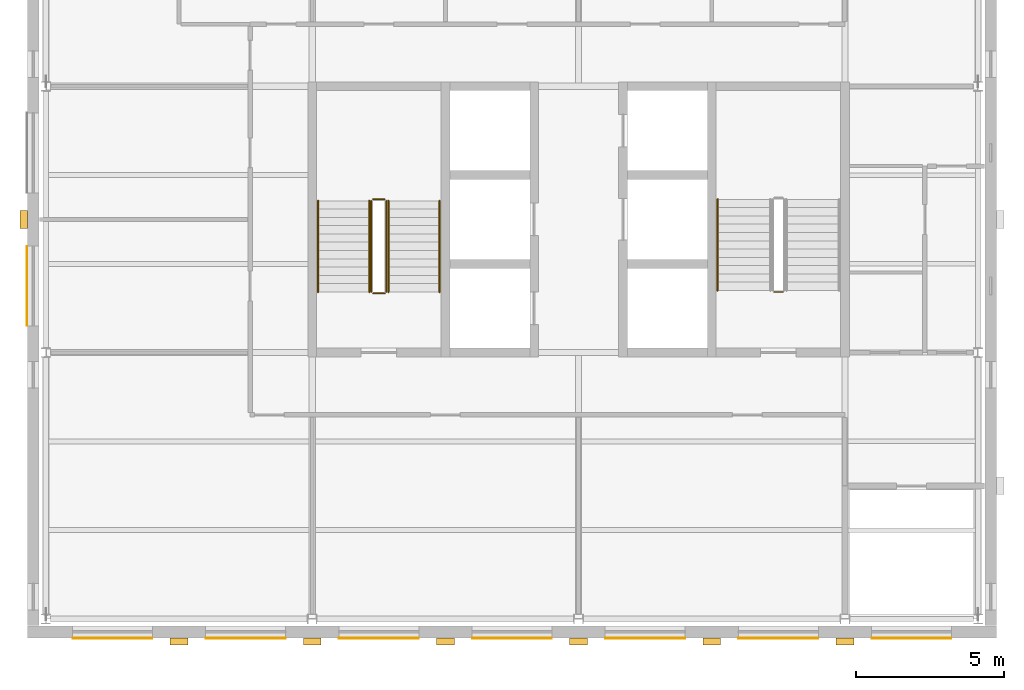
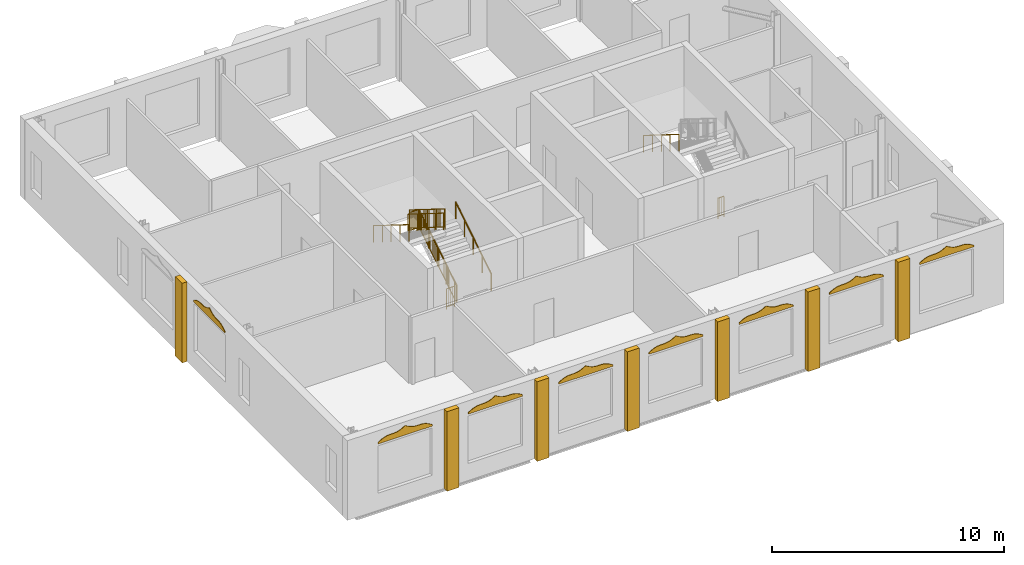
# One storey, part 8 of 9: 15 coverings, 10 railings.
"""IFC4 building model written with IfcOpenShell, lengths in metres."""

from ifc_helpers import new_model, si_unit, direction, frame, origin, origin_2d, place, context, subcontext, project, spatial, polyline, rectangle, circle, outline, extrude, material, layer, layer_set, type_object, element, save


model = new_model("IFC4")

# Units and contexts
model_context = context("Model", 3, precision=1e-05, world=origin(), true_north=direction((0.0, 1.0)))
body_context = subcontext(model_context, "Body", "Model", "MODEL_VIEW")
ifc_project = project(units=[si_unit("LENGTHUNIT", "METRE"), si_unit("AREAUNIT", "SQUARE_METRE"), si_unit("VOLUMEUNIT", "CUBIC_METRE"), si_unit("PLANEANGLEUNIT", "RADIAN"), si_unit("MASSUNIT", "GRAM", prefix="KILO")], contexts=[model_context])

# Site, building, storey
site_placement = place(None, origin())
site = spatial("IfcSite", under=ifc_project, at=site_placement, CompositionType="ELEMENT")
building_placement = place(site_placement, origin())
building = spatial("IfcBuilding", under=site, at=building_placement, Name="Hortulan Conservatory and Botanical Research Centre", CompositionType="ELEMENT")
storey_placement = place(building_placement, frame((0.0, 0.0, 52.800048828125)))
storey = spatial("IfcBuildingStorey", under=building, at=storey_placement, Name="L12", CompositionType="ELEMENT", Elevation=52.800048828125)

# Coverings
ifc_material_1 = material(Name="Faience cladding, cream glaze (non-combustible)", Category="ceramic")
ifc_layer_1 = layer(ifc_material_1, 0.030029296875)
ifc_layer_set_1 = layer_set([ifc_layer_1], Name="Faience Ogee Head Panel Cream 2700x500")
covering_type_1 = type_object("IfcCoveringType", Name="Faience Ogee Head Panel Cream 2700x500", PredefinedType="CLADDING", material=ifc_layer_set_1)
for number, where, z_axis, x_axis, name in (
    (1, (17.10009765625, -0.65087890625, 3.52001953125), (0.0, 0.0, 1.0), (-1.0, 0.0, 0.0), "Ogee head panel"),
    (2, (21.60009765625, -0.65087890625, 3.52001953125), (0.0, 0.0, 1.0), (-1.0, 0.0, 0.0), "Ogee head panel"),
):
    element("IfcCovering", number, at=place(storey_placement, frame(where, z_axis=z_axis, x_axis=x_axis)), inside=storey, type_object=covering_type_1, Name=name, PredefinedType="CLADDING", context=body_context, shape_type="SweptSolid", body=[
        extrude(outline(polyline([(0.0, 0.0), (2.699951171875, 0.0), (2.699951171875, 0.079833984375), (2.58740234375, 0.1484375), (2.47509765625, 0.208251953125), (2.362548828125, 0.252197265625), (2.25, 0.278076171875), (2.137451171875, 0.28857421875), (2.02490234375, 0.2900390625), (1.91259765625, 0.291259765625), (1.800048828125, 0.3017578125), (1.6875, 0.32763671875), (1.574951171875, 0.371826171875), (1.46240234375, 0.431396484375), (1.35009765625, 0.5), (1.237548828125, 0.431396484375), (1.125, 0.371826171875), (1.012451171875, 0.32763671875), (0.89990234375, 0.3017578125), (0.78759765625, 0.291259765625), (0.675048828125, 0.2900390625), (0.5625, 0.28857421875), (0.449951171875, 0.278076171875), (0.33740234375, 0.252197265625), (0.22509765625, 0.208251953125), (0.112548828125, 0.1484375), (0.0, 0.079833984375), (0.0, 0.0)])), frame((0.0, 0.01513671875, 0.0), z_axis=(0.0, -1.0, 0.0), x_axis=(1.0, 0.0, 0.0)), (0.0, 0.0, 1.0), 0.030029296875),
    ])
ifc_material_2 = material(Name="Faience cladding, waratah crimson glaze (non-combustible)", Category="ceramic")
ifc_layer_2 = layer(ifc_material_2, 0.030029296875)
ifc_layer_set_2 = layer_set([ifc_layer_2], Name="Faience Ogee Head Panel Crimson 2700x500")
covering_type_2 = type_object("IfcCoveringType", Name="Faience Ogee Head Panel Crimson 2700x500", PredefinedType="CLADDING", material=ifc_layer_set_2)
for number, where, z_axis, x_axis, name in (
    (3, (3.60009765625, -0.65087890625, 3.52001953125), (0.0, 0.0, 1.0), (-1.0, 0.0, 0.0), "Ogee head panel"),
    (4, (26.10009765625, -0.65087890625, 3.52001953125), (0.0, 0.0, 1.0), (-1.0, 0.0, 0.0), "Ogee head panel"),
    (5, (30.60009765625, -0.65087890625, 3.52001953125), (0.0, 0.0, 1.0), (-1.0, 0.0, 0.0), "Ogee head panel"),
):
    element("IfcCovering", number, at=place(storey_placement, frame(where, z_axis=z_axis, x_axis=x_axis)), inside=storey, type_object=covering_type_2, Name=name, PredefinedType="CLADDING", context=body_context, shape_type="SweptSolid", body=[
        extrude(outline(polyline([(0.0, 0.0), (2.699951171875, 0.0), (2.699951171875, 0.079833984375), (2.58740234375, 0.1484375), (2.47509765625, 0.208251953125), (2.362548828125, 0.252197265625), (2.25, 0.278076171875), (2.137451171875, 0.28857421875), (2.02490234375, 0.2900390625), (1.91259765625, 0.291259765625), (1.800048828125, 0.3017578125), (1.6875, 0.32763671875), (1.574951171875, 0.371826171875), (1.46240234375, 0.431396484375), (1.35009765625, 0.5), (1.237548828125, 0.431396484375), (1.125, 0.371826171875), (1.012451171875, 0.32763671875), (0.89990234375, 0.3017578125), (0.78759765625, 0.291259765625), (0.675048828125, 0.2900390625), (0.5625, 0.28857421875), (0.449951171875, 0.278076171875), (0.33740234375, 0.252197265625), (0.22509765625, 0.208251953125), (0.112548828125, 0.1484375), (0.0, 0.079833984375), (0.0, 0.0)])), frame((0.0, 0.01513671875, 0.0), z_axis=(0.0, -1.0, 0.0), x_axis=(1.0, 0.0, 0.0)), (0.0, 0.0, 1.0), 0.030029296875),
    ])
ifc_material_3 = material(Name="Faience cladding, harbour teal glaze (non-combustible)", Category="ceramic")
ifc_layer_3 = layer(ifc_material_3, 0.030029296875)
ifc_layer_set_3 = layer_set([ifc_layer_3], Name="Faience Ogee Head Panel Teal 2700x500")
covering_type_3 = type_object("IfcCoveringType", Name="Faience Ogee Head Panel Teal 2700x500", PredefinedType="CLADDING", material=ifc_layer_set_3)
for number, where, z_axis, x_axis, name in (
    (6, (8.10009765625, -0.65087890625, 3.52001953125), (0.0, 0.0, 1.0), (-1.0, 0.0, 0.0), "Ogee head panel"),
    (7, (12.60009765625, -0.65087890625, 3.52001953125), (0.0, 0.0, 1.0), (-1.0, 0.0, 0.0), "Ogee head panel"),
    (8, (-0.639892578125, 9.89990234375, 3.52001953125), (0.0, 0.0, 1.0), (0.0, 1.0, 0.0), "Ogee head panel"),
):
    element("IfcCovering", number, at=place(storey_placement, frame(where, z_axis=z_axis, x_axis=x_axis)), inside=storey, type_object=covering_type_3, Name=name, PredefinedType="CLADDING", context=body_context, shape_type="SweptSolid", body=[
        extrude(outline(polyline([(0.0, 0.0), (2.699951171875, 0.0), (2.699951171875, 0.079833984375), (2.58740234375, 0.1484375), (2.47509765625, 0.208251953125), (2.362548828125, 0.252197265625), (2.25, 0.278076171875), (2.137451171875, 0.28857421875), (2.02490234375, 0.2900390625), (1.91259765625, 0.291259765625), (1.800048828125, 0.3017578125), (1.6875, 0.32763671875), (1.574951171875, 0.371826171875), (1.46240234375, 0.431396484375), (1.35009765625, 0.5), (1.237548828125, 0.431396484375), (1.125, 0.371826171875), (1.012451171875, 0.32763671875), (0.89990234375, 0.3017578125), (0.78759765625, 0.291259765625), (0.675048828125, 0.2900390625), (0.5625, 0.28857421875), (0.449951171875, 0.278076171875), (0.33740234375, 0.252197265625), (0.22509765625, 0.208251953125), (0.112548828125, 0.1484375), (0.0, 0.079833984375), (0.0, 0.0)])), frame((0.0, 0.01513671875, 0.0), z_axis=(0.0, -1.0, 0.0), x_axis=(1.0, 0.0, 0.0)), (0.0, 0.0, 1.0), 0.030029296875),
    ])
ifc_layer_4 = layer(ifc_material_1, 0.25)
ifc_layer_set_4 = layer_set([ifc_layer_4], Name="Faience Pilaster 600x250")
covering_type_4 = type_object("IfcCoveringType", Name="Faience Pilaster 600x250", PredefinedType="CLADDING", material=ifc_layer_set_4)
for number, where, z_axis, x_axis, name in (
    (9, (27.0, -0.760986328125, 0.0), (0.0, 0.0, 1.0), (-1.0, 0.0, 0.0), "Pier"),
    (10, (22.5, -0.760986328125, 0.0), (0.0, 0.0, 1.0), (-1.0, 0.0, 0.0), "Pier"),
    (11, (18.0, -0.760986328125, 0.0), (0.0, 0.0, 1.0), (-1.0, 0.0, 0.0), "Pier"),
    (12, (13.5, -0.760986328125, 0.0), (0.0, 0.0, 1.0), (-1.0, 0.0, 0.0), "Pier"),
    (13, (9.0, -0.760986328125, 0.0), (0.0, 0.0, 1.0), (-1.0, 0.0, 0.0), "Pier"),
    (14, (4.5, -0.760986328125, 0.0), (0.0, 0.0, 1.0), (-1.0, 0.0, 0.0), "Pier"),
    (15, (-0.75, 13.5, 0.0), (0.0, 0.0, 1.0), (0.0, 1.0, 0.0), "Pier"),
):
    element("IfcCovering", number, at=place(storey_placement, frame(where, z_axis=z_axis, x_axis=x_axis)), inside=storey, type_object=covering_type_4, Name=name, PredefinedType="CLADDING", context=body_context, shape_type="SweptSolid", body=[
        extrude(rectangle(XDim=0.60009765625, YDim=0.25, at=origin_2d()), origin(), (0.0, 0.0, 1.0), 4.199951171875),
    ])

# Railings
ifc_material_4 = material(Name="Steel balustrade, bronze-charcoal paint", Category="steel")
railing_type_1 = type_object("IfcRailingType", Name="Stair Guard 1100", PredefinedType="GUARDRAIL", material=ifc_material_4)
railing_1_placement = place(storey_placement, frame((11.5, 11.050048828125, 0.175048828125)))
element("IfcRailing", 16, at=railing_1_placement, inside=storey, type_object=railing_type_1, Name="Guard T1 L12 stair 1", PredefinedType="GUARDRAIL", context=body_context, shape_type="SweptSolid", body=[
    extrude(circle(Radius=0.02392578125, at=origin_2d()), frame((0.0, 0.0, 1.076171875), z_axis=(0.0, 0.848009633417, 0.529980812513), x_axis=(-1.0, 0.0, 0.0)), (0.0, 0.0, 1.0), 3.6318359375),
    extrude(circle(Radius=0.02392578125, at=origin_2d()), frame((0.0, 0.0, 0.1240234375), z_axis=(0.0, 0.848009633417, 0.529980812513), x_axis=(-1.0, 0.0, 0.0)), (0.0, 0.0, 1.0), 3.6318359375),
    extrude(circle(Radius=0.008056640625, at=origin_2d()), frame((0.0, 0.090576171875, 0.204833984375)), (0.0, 0.0, 1.0), 0.90380859375),
    extrude(circle(Radius=0.008056640625, at=origin_2d()), frame((0.0, 0.18115234375, 0.261474609375)), (0.0, 0.0, 1.0), 0.90380859375),
    extrude(circle(Radius=0.008056640625, at=origin_2d()), frame((0.0, 0.271728515625, 0.318115234375)), (0.0, 0.0, 1.0), 0.90380859375),
    extrude(circle(Radius=0.008056640625, at=origin_2d()), frame((0.0, 0.3623046875, 0.374755859375)), (0.0, 0.0, 1.0), 0.90380859375),
    extrude(circle(Radius=0.008056640625, at=origin_2d()), frame((0.0, 0.452880859375, 0.43115234375)), (0.0, 0.0, 1.0), 0.90380859375),
    extrude(circle(Radius=0.008056640625, at=origin_2d()), frame((0.0, 0.54345703125, 0.48779296875)), (0.0, 0.0, 1.0), 0.90380859375),
    extrude(circle(Radius=0.008056640625, at=origin_2d()), frame((0.0, 0.634033203125, 0.54443359375)), (0.0, 0.0, 1.0), 0.90380859375),
    extrude(circle(Radius=0.008056640625, at=origin_2d()), frame((0.0, 0.724609375, 0.60107421875)), (0.0, 0.0, 1.0), 0.90380859375),
    extrude(circle(Radius=0.008056640625, at=origin_2d()), frame((0.0, 0.815185546875, 0.65771484375)), (0.0, 0.0, 1.0), 0.90380859375),
    extrude(circle(Radius=0.008056640625, at=origin_2d()), frame((0.0, 0.90576171875, 0.71435546875)), (0.0, 0.0, 1.0), 0.90380859375),
    extrude(circle(Radius=0.008056640625, at=origin_2d()), frame((0.0, 0.996337890625, 0.77099609375)), (0.0, 0.0, 1.0), 0.90380859375),
    extrude(circle(Radius=0.008056640625, at=origin_2d()), frame((0.0, 1.0869140625, 0.82763671875)), (0.0, 0.0, 1.0), 0.90380859375),
    extrude(circle(Radius=0.008056640625, at=origin_2d()), frame((0.0, 1.177490234375, 0.884033203125)), (0.0, 0.0, 1.0), 0.90380859375),
    extrude(circle(Radius=0.008056640625, at=origin_2d()), frame((0.0, 1.26806640625, 0.940673828125)), (0.0, 0.0, 1.0), 0.90380859375),
    extrude(circle(Radius=0.008056640625, at=origin_2d()), frame((0.0, 1.358642578125, 0.997314453125)), (0.0, 0.0, 1.0), 0.90380859375),
    extrude(circle(Radius=0.008056640625, at=origin_2d()), frame((0.0, 1.44921875, 1.053955078125)), (0.0, 0.0, 1.0), 0.90380859375),
    extrude(circle(Radius=0.008056640625, at=origin_2d()), frame((0.0, 1.5400390625, 1.110595703125)), (0.0, 0.0, 1.0), 0.90380859375),
    extrude(circle(Radius=0.008056640625, at=origin_2d()), frame((0.0, 1.630615234375, 1.167236328125)), (0.0, 0.0, 1.0), 0.90380859375),
    extrude(circle(Radius=0.008056640625, at=origin_2d()), frame((0.0, 1.72119140625, 1.223876953125)), (0.0, 0.0, 1.0), 0.90380859375),
    extrude(circle(Radius=0.008056640625, at=origin_2d()), frame((0.0, 1.811767578125, 1.280517578125)), (0.0, 0.0, 1.0), 0.90380859375),
    extrude(circle(Radius=0.008056640625, at=origin_2d()), frame((0.0, 1.90234375, 1.337158203125)), (0.0, 0.0, 1.0), 0.90380859375),
    extrude(circle(Radius=0.008056640625, at=origin_2d()), frame((0.0, 1.992919921875, 1.3935546875)), (0.0, 0.0, 1.0), 0.90380859375),
    extrude(circle(Radius=0.008056640625, at=origin_2d()), frame((0.0, 2.08349609375, 1.4501953125)), (0.0, 0.0, 1.0), 0.90380859375),
    extrude(circle(Radius=0.008056640625, at=origin_2d()), frame((0.0, 2.174072265625, 1.5068359375)), (0.0, 0.0, 1.0), 0.90380859375),
    extrude(circle(Radius=0.008056640625, at=origin_2d()), frame((0.0, 2.2646484375, 1.5634765625)), (0.0, 0.0, 1.0), 0.90380859375),
    extrude(circle(Radius=0.008056640625, at=origin_2d()), frame((0.0, 2.355224609375, 1.6201171875)), (0.0, 0.0, 1.0), 0.90380859375),
    extrude(circle(Radius=0.008056640625, at=origin_2d()), frame((0.0, 2.44580078125, 1.6767578125)), (0.0, 0.0, 1.0), 0.90380859375),
    extrude(circle(Radius=0.008056640625, at=origin_2d()), frame((0.0, 2.536376953125, 1.7333984375)), (0.0, 0.0, 1.0), 0.90380859375),
    extrude(circle(Radius=0.008056640625, at=origin_2d()), frame((0.0, 2.626953125, 1.7900390625)), (0.0, 0.0, 1.0), 0.90380859375),
    extrude(circle(Radius=0.008056640625, at=origin_2d()), frame((0.0, 2.717529296875, 1.846435546875)), (0.0, 0.0, 1.0), 0.90380859375),
    extrude(circle(Radius=0.008056640625, at=origin_2d()), frame((0.0, 2.80810546875, 1.903076171875)), (0.0, 0.0, 1.0), 0.90380859375),
    extrude(circle(Radius=0.008056640625, at=origin_2d()), frame((0.0, 2.898681640625, 1.959716796875)), (0.0, 0.0, 1.0), 0.90380859375),
    extrude(circle(Radius=0.008056640625, at=origin_2d()), frame((0.0, 2.9892578125, 2.016357421875)), (0.0, 0.0, 1.0), 0.90380859375),
    extrude(circle(Radius=0.02099609375, at=origin_2d()), origin(), (0.0, 0.0, 1.0), 1.052001953125),
    extrude(circle(Radius=0.02099609375, at=origin_2d()), frame((0.0, 0.77001953125, 0.481201171875)), (0.0, 0.0, 1.0), 1.052001953125),
    extrude(circle(Radius=0.02099609375, at=origin_2d()), frame((0.0, 1.5400390625, 0.96240234375)), (0.0, 0.0, 1.0), 1.052001953125),
    extrude(circle(Radius=0.02099609375, at=origin_2d()), frame((0.0, 2.309814453125, 1.443603515625)), (0.0, 0.0, 1.0), 1.052001953125),
    extrude(circle(Radius=0.02099609375, at=origin_2d()), frame((0.0, 3.079833984375, 1.9248046875)), (0.0, 0.0, 1.0), 1.052001953125),
])
railing_2_placement = place(storey_placement, frame((11.449951171875, 14.179931640625, 2.099853515625)))
element("IfcRailing", 17, at=railing_2_placement, inside=storey, type_object=railing_type_1, Name="Guard T1 L12 stair 2", PredefinedType="GUARDRAIL", context=body_context, shape_type="SweptSolid", body=[
    extrude(circle(Radius=0.02392578125, at=origin_2d()), frame((0.0, 0.0, 1.076171875), z_axis=(-1.0, 0.0, 0.0), x_axis=(0.0, -1.0, 0.0)), (0.0, 0.0, 1.0), 0.39990234375),
    extrude(circle(Radius=0.02392578125, at=origin_2d()), frame((0.0, 0.0, 0.1240234375), z_axis=(-1.0, 0.0, 0.0), x_axis=(0.0, -1.0, 0.0)), (0.0, 0.0, 1.0), 0.39990234375),
    extrude(circle(Radius=0.008056640625, at=origin_2d()), frame((-0.10009765625, 0.0, 0.148193359375)), (0.0, 0.0, 1.0), 0.90380859375),
    extrude(circle(Radius=0.008056640625, at=origin_2d()), frame((-0.199951171875, 0.0, 0.148193359375)), (0.0, 0.0, 1.0), 0.90380859375),
    extrude(circle(Radius=0.008056640625, at=origin_2d()), frame((-0.2998046875, 0.0, 0.148193359375)), (0.0, 0.0, 1.0), 0.90380859375),
    extrude(circle(Radius=0.02099609375, at=origin_2d()), origin(), (0.0, 0.0, 1.0), 1.052001953125),
    extrude(circle(Radius=0.02099609375, at=origin_2d()), frame((-0.39990234375, 0.0, 0.0)), (0.0, 0.0, 1.0), 1.052001953125),
])
railing_3_placement = place(storey_placement, frame((11.0, 14.1298828125, 2.27490234375)))
element("IfcRailing", 18, at=railing_3_placement, inside=storey, type_object=railing_type_1, Name="Guard T1 L12 stair 3", PredefinedType="GUARDRAIL", context=body_context, shape_type="SweptSolid", body=[
    extrude(circle(Radius=0.02392578125, at=origin_2d()), frame((0.0, 0.0, 1.076171875), z_axis=(0.0, -0.847979421464, 0.530029150871), x_axis=(1.0, 0.0, 0.0)), (0.0, 0.0, 1.0), 3.632080078125),
    extrude(circle(Radius=0.02392578125, at=origin_2d()), frame((0.0, 0.0, 0.1240234375), z_axis=(0.0, -0.847979421464, 0.530029150871), x_axis=(1.0, 0.0, 0.0)), (0.0, 0.0, 1.0), 3.632080078125),
    extrude(circle(Radius=0.008056640625, at=origin_2d()), frame((0.0, -0.090576171875, 0.204833984375)), (0.0, 0.0, 1.0), 0.90380859375),
    extrude(circle(Radius=0.008056640625, at=origin_2d()), frame((0.0, -0.18115234375, 0.261474609375)), (0.0, 0.0, 1.0), 0.90380859375),
    extrude(circle(Radius=0.008056640625, at=origin_2d()), frame((0.0, -0.271728515625, 0.318115234375)), (0.0, 0.0, 1.0), 0.90380859375),
    extrude(circle(Radius=0.008056640625, at=origin_2d()), frame((0.0, -0.3623046875, 0.374755859375)), (0.0, 0.0, 1.0), 0.90380859375),
    extrude(circle(Radius=0.008056640625, at=origin_2d()), frame((0.0, -0.452880859375, 0.431396484375)), (0.0, 0.0, 1.0), 0.90380859375),
    extrude(circle(Radius=0.008056640625, at=origin_2d()), frame((0.0, -0.54345703125, 0.48779296875)), (0.0, 0.0, 1.0), 0.90380859375),
    extrude(circle(Radius=0.008056640625, at=origin_2d()), frame((0.0, -0.634033203125, 0.54443359375)), (0.0, 0.0, 1.0), 0.90380859375),
    extrude(circle(Radius=0.008056640625, at=origin_2d()), frame((0.0, -0.724609375, 0.60107421875)), (0.0, 0.0, 1.0), 0.90380859375),
    extrude(circle(Radius=0.008056640625, at=origin_2d()), frame((0.0, -0.815185546875, 0.65771484375)), (0.0, 0.0, 1.0), 0.90380859375),
    extrude(circle(Radius=0.008056640625, at=origin_2d()), frame((0.0, -0.90576171875, 0.71435546875)), (0.0, 0.0, 1.0), 0.90380859375),
    extrude(circle(Radius=0.008056640625, at=origin_2d()), frame((0.0, -0.996337890625, 0.77099609375)), (0.0, 0.0, 1.0), 0.90380859375),
    extrude(circle(Radius=0.008056640625, at=origin_2d()), frame((0.0, -1.0869140625, 0.82763671875)), (0.0, 0.0, 1.0), 0.90380859375),
    extrude(circle(Radius=0.008056640625, at=origin_2d()), frame((0.0, -1.177490234375, 0.88427734375)), (0.0, 0.0, 1.0), 0.90380859375),
    extrude(circle(Radius=0.008056640625, at=origin_2d()), frame((0.0, -1.26806640625, 0.94091796875)), (0.0, 0.0, 1.0), 0.90380859375),
    extrude(circle(Radius=0.008056640625, at=origin_2d()), frame((0.0, -1.358642578125, 0.99755859375)), (0.0, 0.0, 1.0), 0.90380859375),
    extrude(circle(Radius=0.008056640625, at=origin_2d()), frame((0.0, -1.44921875, 1.05419921875)), (0.0, 0.0, 1.0), 0.90380859375),
    extrude(circle(Radius=0.008056640625, at=origin_2d()), frame((0.0, -1.5400390625, 1.11083984375)), (0.0, 0.0, 1.0), 0.90380859375),
    extrude(circle(Radius=0.008056640625, at=origin_2d()), frame((0.0, -1.630615234375, 1.167236328125)), (0.0, 0.0, 1.0), 0.90380859375),
    extrude(circle(Radius=0.008056640625, at=origin_2d()), frame((0.0, -1.72119140625, 1.223876953125)), (0.0, 0.0, 1.0), 0.90380859375),
    extrude(circle(Radius=0.008056640625, at=origin_2d()), frame((0.0, -1.811767578125, 1.280517578125)), (0.0, 0.0, 1.0), 0.90380859375),
    extrude(circle(Radius=0.008056640625, at=origin_2d()), frame((0.0, -1.90234375, 1.337158203125)), (0.0, 0.0, 1.0), 0.90380859375),
    extrude(circle(Radius=0.008056640625, at=origin_2d()), frame((0.0, -1.992919921875, 1.393798828125)), (0.0, 0.0, 1.0), 0.90380859375),
    extrude(circle(Radius=0.008056640625, at=origin_2d()), frame((0.0, -2.08349609375, 1.450439453125)), (0.0, 0.0, 1.0), 0.90380859375),
    extrude(circle(Radius=0.008056640625, at=origin_2d()), frame((0.0, -2.174072265625, 1.507080078125)), (0.0, 0.0, 1.0), 0.90380859375),
    extrude(circle(Radius=0.008056640625, at=origin_2d()), frame((0.0, -2.2646484375, 1.563720703125)), (0.0, 0.0, 1.0), 0.90380859375),
    extrude(circle(Radius=0.008056640625, at=origin_2d()), frame((0.0, -2.355224609375, 1.620361328125)), (0.0, 0.0, 1.0), 0.90380859375),
    extrude(circle(Radius=0.008056640625, at=origin_2d()), frame((0.0, -2.44580078125, 1.677001953125)), (0.0, 0.0, 1.0), 0.90380859375),
    extrude(circle(Radius=0.008056640625, at=origin_2d()), frame((0.0, -2.536376953125, 1.733642578125)), (0.0, 0.0, 1.0), 0.90380859375),
    extrude(circle(Radius=0.008056640625, at=origin_2d()), frame((0.0, -2.626953125, 1.7900390625)), (0.0, 0.0, 1.0), 0.90380859375),
    extrude(circle(Radius=0.008056640625, at=origin_2d()), frame((0.0, -2.717529296875, 1.8466796875)), (0.0, 0.0, 1.0), 0.90380859375),
    extrude(circle(Radius=0.008056640625, at=origin_2d()), frame((0.0, -2.80810546875, 1.9033203125)), (0.0, 0.0, 1.0), 0.90380859375),
    extrude(circle(Radius=0.008056640625, at=origin_2d()), frame((0.0, -2.898681640625, 1.9599609375)), (0.0, 0.0, 1.0), 0.90380859375),
    extrude(circle(Radius=0.008056640625, at=origin_2d()), frame((0.0, -2.9892578125, 2.0166015625)), (0.0, 0.0, 1.0), 0.90380859375),
    extrude(circle(Radius=0.02099609375, at=origin_2d()), origin(), (0.0, 0.0, 1.0), 1.052001953125),
    extrude(circle(Radius=0.02099609375, at=origin_2d()), frame((0.0, -0.77001953125, 0.481201171875)), (0.0, 0.0, 1.0), 1.052001953125),
    extrude(circle(Radius=0.02099609375, at=origin_2d()), frame((0.0, -1.5400390625, 0.96240234375)), (0.0, 0.0, 1.0), 1.052001953125),
    extrude(circle(Radius=0.02099609375, at=origin_2d()), frame((0.0, -2.309814453125, 1.44384765625)), (0.0, 0.0, 1.0), 1.052001953125),
    extrude(circle(Radius=0.02099609375, at=origin_2d()), frame((0.0, -3.079833984375, 1.925048828125)), (0.0, 0.0, 1.0), 1.052001953125),
])
railing_4_placement = place(storey_placement, frame((11.449951171875, 11.0, 0.0)))
element("IfcRailing", 19, at=railing_4_placement, inside=storey, type_object=railing_type_1, Name="Guard T1 L12 stair 4", PredefinedType="GUARDRAIL", context=body_context, shape_type="SweptSolid", body=[
    extrude(circle(Radius=0.02392578125, at=origin_2d()), frame((0.0, 0.0, 1.076171875), z_axis=(-1.0, 0.0, 0.0), x_axis=(0.0, -1.0, 0.0)), (0.0, 0.0, 1.0), 0.39990234375),
    extrude(circle(Radius=0.02392578125, at=origin_2d()), frame((0.0, 0.0, 0.1240234375), z_axis=(-1.0, 0.0, 0.0), x_axis=(0.0, -1.0, 0.0)), (0.0, 0.0, 1.0), 0.39990234375),
    extrude(circle(Radius=0.008056640625, at=origin_2d()), frame((-0.10009765625, 0.0, 0.148193359375)), (0.0, 0.0, 1.0), 0.90380859375),
    extrude(circle(Radius=0.008056640625, at=origin_2d()), frame((-0.199951171875, 0.0, 0.148193359375)), (0.0, 0.0, 1.0), 0.90380859375),
    extrude(circle(Radius=0.008056640625, at=origin_2d()), frame((-0.2998046875, 0.0, 0.148193359375)), (0.0, 0.0, 1.0), 0.90380859375),
    extrude(circle(Radius=0.02099609375, at=origin_2d()), origin(), (0.0, 0.0, 1.0), 1.052001953125),
    extrude(circle(Radius=0.02099609375, at=origin_2d()), frame((-0.39990234375, 0.0, 0.0)), (0.0, 0.0, 1.0), 1.052001953125),
])
railing_5_placement = place(storey_placement, frame((24.89990234375, 11.050048828125, 0.0)))
element("IfcRailing", 20, at=railing_5_placement, inside=storey, type_object=railing_type_1, Name="Guard T2 L12 stair 4", PredefinedType="GUARDRAIL", context=body_context, shape_type="SweptSolid", body=[
    extrude(circle(Radius=0.02392578125, at=origin_2d()), frame((0.0, 0.0, 1.076171875), z_axis=(-1.0, 0.0, 0.0), x_axis=(0.0, -1.0, 0.0)), (0.0, 0.0, 1.0), 0.2998046875),
    extrude(circle(Radius=0.02392578125, at=origin_2d()), frame((0.0, 0.0, 0.1240234375), z_axis=(-1.0, 0.0, 0.0), x_axis=(0.0, -1.0, 0.0)), (0.0, 0.0, 1.0), 0.2998046875),
    extrude(circle(Radius=0.008056640625, at=origin_2d()), frame((-0.099853515625, 0.0, 0.148193359375)), (0.0, 0.0, 1.0), 0.90380859375),
    extrude(circle(Radius=0.008056640625, at=origin_2d()), frame((-0.199951171875, 0.0, 0.148193359375)), (0.0, 0.0, 1.0), 0.90380859375),
    extrude(circle(Radius=0.02099609375, at=origin_2d()), origin(), (0.0, 0.0, 1.0), 1.052001953125),
    extrude(circle(Radius=0.02099609375, at=origin_2d()), frame((-0.2998046875, 0.0, 0.0)), (0.0, 0.0, 1.0), 1.052001953125),
])
ifc_material_5 = material(Name="Bronze handrail, polished", Category="metal")
railing_type_2 = type_object("IfcRailingType", Name="Stair Handrail 900", PredefinedType="HANDRAIL", material=ifc_material_5)
railing_6_placement = place(storey_placement, frame((13.300048828125, 11.050048828125, 0.175048828125)))
element("IfcRailing", 21, at=railing_6_placement, inside=storey, type_object=railing_type_2, Name="Handrail T1 L12 stair 1", PredefinedType="HANDRAIL", context=body_context, shape_type="SweptSolid", body=[
    extrude(circle(Radius=0.02392578125, at=origin_2d()), frame((0.0, 0.0, 0.8759765625), z_axis=(0.0, 0.848009633417, 0.529980812513), x_axis=(-1.0, 0.0, 0.0)), (0.0, 0.0, 1.0), 3.6318359375),
    extrude(circle(Radius=0.02099609375, at=origin_2d()), origin(), (0.0, 0.0, 1.0), 0.851806640625),
    extrude(circle(Radius=0.02099609375, at=origin_2d()), frame((0.0, 0.77001953125, 0.481201171875)), (0.0, 0.0, 1.0), 0.851806640625),
    extrude(circle(Radius=0.02099609375, at=origin_2d()), frame((0.0, 1.5400390625, 0.96240234375)), (0.0, 0.0, 1.0), 0.851806640625),
    extrude(circle(Radius=0.02099609375, at=origin_2d()), frame((0.0, 2.309814453125, 1.443603515625)), (0.0, 0.0, 1.0), 0.851806640625),
    extrude(circle(Radius=0.02099609375, at=origin_2d()), frame((0.0, 3.079833984375, 1.9248046875)), (0.0, 0.0, 1.0), 0.851806640625),
])
railing_7_placement = place(storey_placement, frame((9.199951171875, 14.1298828125, 2.27490234375)))
element("IfcRailing", 22, at=railing_7_placement, inside=storey, type_object=railing_type_2, Name="Handrail T1 L12 stair 2", PredefinedType="HANDRAIL", context=body_context, shape_type="SweptSolid", body=[
    extrude(circle(Radius=0.02392578125, at=origin_2d()), frame((0.0, 0.0, 0.8759765625), z_axis=(0.0, -0.847979421464, 0.530029150871), x_axis=(1.0, 0.0, 0.0)), (0.0, 0.0, 1.0), 3.632080078125),
    extrude(circle(Radius=0.02099609375, at=origin_2d()), origin(), (0.0, 0.0, 1.0), 0.851806640625),
    extrude(circle(Radius=0.02099609375, at=origin_2d()), frame((0.0, -0.77001953125, 0.481201171875)), (0.0, 0.0, 1.0), 0.851806640625),
    extrude(circle(Radius=0.02099609375, at=origin_2d()), frame((0.0, -1.5400390625, 0.96240234375)), (0.0, 0.0, 1.0), 0.851806640625),
    extrude(circle(Radius=0.02099609375, at=origin_2d()), frame((0.0, -2.309814453125, 1.44384765625)), (0.0, 0.0, 1.0), 0.851806640625),
    extrude(circle(Radius=0.02099609375, at=origin_2d()), frame((0.0, -3.079833984375, 1.925048828125)), (0.0, 0.0, 1.0), 0.851806640625),
])
railing_8_placement = place(storey_placement, frame((11.570068359375, 11.050048828125, 0.175048828125)))
element("IfcRailing", 23, at=railing_8_placement, inside=storey, type_object=railing_type_2, Name="Handrail T1 L12 stair 3", PredefinedType="HANDRAIL", context=body_context, shape_type="SweptSolid", body=[
    extrude(circle(Radius=0.02392578125, at=origin_2d()), frame((0.0, 0.0, 0.8759765625), z_axis=(0.0, 0.848009633417, 0.529980812513), x_axis=(-1.0, 0.0, 0.0)), (0.0, 0.0, 1.0), 3.6318359375),
    extrude(circle(Radius=0.02099609375, at=origin_2d()), origin(), (0.0, 0.0, 1.0), 0.851806640625),
    extrude(circle(Radius=0.02099609375, at=origin_2d()), frame((0.0, 0.77001953125, 0.481201171875)), (0.0, 0.0, 1.0), 0.851806640625),
    extrude(circle(Radius=0.02099609375, at=origin_2d()), frame((0.0, 1.5400390625, 0.96240234375)), (0.0, 0.0, 1.0), 0.851806640625),
    extrude(circle(Radius=0.02099609375, at=origin_2d()), frame((0.0, 2.309814453125, 1.443603515625)), (0.0, 0.0, 1.0), 0.851806640625),
    extrude(circle(Radius=0.02099609375, at=origin_2d()), frame((0.0, 3.079833984375, 1.9248046875)), (0.0, 0.0, 1.0), 0.851806640625),
])
for number, where, name in (
    (24, (10.929931640625, 14.1298828125, 2.27490234375), "Handrail T1 L12 stair 4"),
    (25, (22.699951171875, 14.179931640625, 2.27490234375), "Handrail T2 L12 stair 2"),
):
    element("IfcRailing", number, at=place(storey_placement, frame(where)), inside=storey, type_object=railing_type_2, Name=name, PredefinedType="HANDRAIL", context=body_context, shape_type="SweptSolid", body=[
        extrude(circle(Radius=0.02392578125, at=origin_2d()), frame((0.0, 0.0, 0.8759765625), z_axis=(0.0, -0.847979421464, 0.530029150871), x_axis=(1.0, 0.0, 0.0)), (0.0, 0.0, 1.0), 3.632080078125),
        extrude(circle(Radius=0.02099609375, at=origin_2d()), origin(), (0.0, 0.0, 1.0), 0.851806640625),
        extrude(circle(Radius=0.02099609375, at=origin_2d()), frame((0.0, -0.77001953125, 0.481201171875)), (0.0, 0.0, 1.0), 0.851806640625),
        extrude(circle(Radius=0.02099609375, at=origin_2d()), frame((0.0, -1.5400390625, 0.96240234375)), (0.0, 0.0, 1.0), 0.851806640625),
        extrude(circle(Radius=0.02099609375, at=origin_2d()), frame((0.0, -2.309814453125, 1.44384765625)), (0.0, 0.0, 1.0), 0.851806640625),
        extrude(circle(Radius=0.02099609375, at=origin_2d()), frame((0.0, -3.079833984375, 1.925048828125)), (0.0, 0.0, 1.0), 0.851806640625),
    ])

save(model, "model.ifc")
